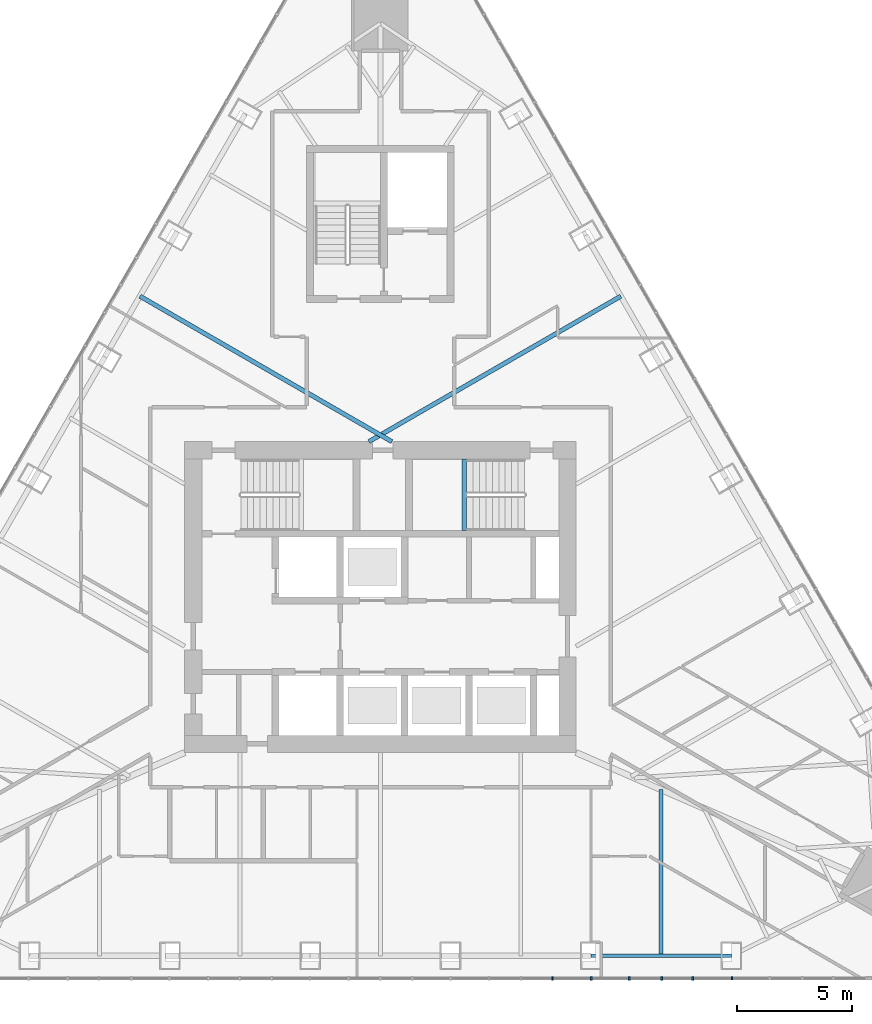
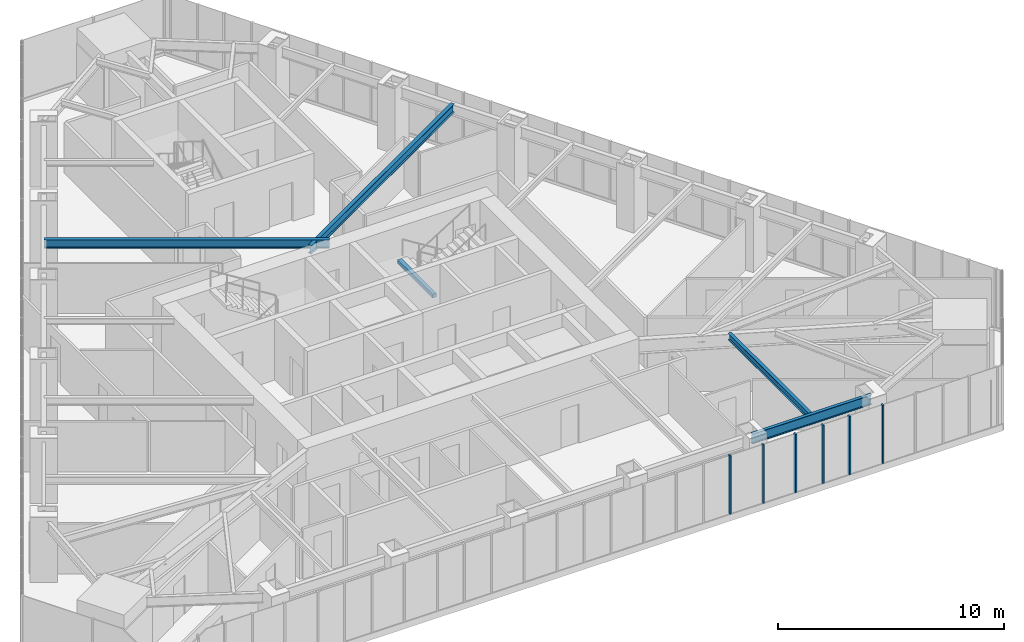
# One storey, part 6 of 20: 6 members, 5 beams, 1 element without a shape of its own.
"""IFC4 building model written with IfcOpenShell, lengths in metres."""

from ifc_helpers import new_model, si_unit, direction, frame, origin, origin_2d, place, context, subcontext, project, spatial, rectangle, i_section, extrude, material, layer, layer_set, material_profile, profile_set, type_object, element, aggregate, save


model = new_model("IFC4")

# Units and contexts
model_context = context("Model", 3, precision=1e-05, world=origin(), true_north=direction((0.0, 1.0)))
body_context = subcontext(model_context, "Body", "Model", "MODEL_VIEW")
ifc_project = project(units=[si_unit("LENGTHUNIT", "METRE"), si_unit("AREAUNIT", "SQUARE_METRE"), si_unit("VOLUMEUNIT", "CUBIC_METRE"), si_unit("PLANEANGLEUNIT", "RADIAN"), si_unit("MASSUNIT", "GRAM", prefix="KILO")], contexts=[model_context])

# Site, building, storey
site_placement = place(None, origin())
site = spatial("IfcSite", under=ifc_project, at=site_placement, CompositionType="ELEMENT")
building_placement = place(site_placement, origin())
building = spatial("IfcBuilding", under=site, at=building_placement, Name="Firuza Gate Tower and Library", CompositionType="ELEMENT")
storey_placement = place(building_placement, frame((0.0, 0.0, 305.60009765625)))
storey = spatial("IfcBuildingStorey", under=building, at=storey_placement, Name="L74", CompositionType="ELEMENT", Elevation=305.60009765625)

# Curtain wall, members
ifc_material_1 = material(Name="Aluminium 6063-T6", Category="aluminium")
ifc_layer = layer(ifc_material_1, 0.14990234375)
ifc_layer_set = layer_set([ifc_layer], Name="Unitised curtain wall, residences")
curtain_wall_type = type_object("IfcCurtainWallType", Name="Unitised curtain wall, residences", PredefinedType="NOTDEFINED", material=ifc_layer_set)
curtain_wall_placement = place(storey_placement, origin())
curtain_wall = element("IfcCurtainWall", 1, at=curtain_wall_placement, inside=storey, type_object=curtain_wall_type, Name="CW3 L74 S face", PredefinedType="NOTDEFINED")
ifc_material_2 = material(Name="Aluminium 6063-T6", Category="aluminium")
ifc_material_profile_1 = material_profile(ifc_material_2, rectangle(XDim=0.14990234375, YDim=0.080078125, at=origin_2d()))
ifc_profile_set_1 = profile_set([ifc_material_profile_1], Name="Aluminium 6063-T6")
member_type = type_object("IfcMemberType", Name="Curtain wall mullion 80x150", PredefinedType="MULLION", material=ifc_profile_set_1)
member_1_placement = place(storey_placement, frame((84.16259765625, 58.44970703125, 0.14990234375), z_axis=(0.0, 0.0, 1.0), x_axis=(0.0, 1.0, 0.0)))
member_1 = element("IfcMember", 2, at=member_1_placement, type_object=member_type, Name="Mullion", PredefinedType="MULLION", context=body_context, shape_type="SweptSolid", body=[
    extrude(rectangle(XDim=0.14990234375, YDim=0.080078125, at=origin_2d()), origin(), (0.0, 0.0, 1.0), 3.14990234375),
])
member_2_placement = place(storey_placement, frame((87.216796875, 58.44970703125, 0.14990234375), z_axis=(0.0, 0.0, 1.0), x_axis=(0.0, 1.0, 0.0)))
member_2 = element("IfcMember", 3, at=member_2_placement, type_object=member_type, Name="Mullion", PredefinedType="MULLION", context=body_context, shape_type="SweptSolid", body=[
    extrude(rectangle(XDim=0.14990234375, YDim=0.080078125, at=origin_2d()), origin(), (0.0, 0.0, 1.0), 3.14990234375),
])
member_3_placement = place(storey_placement, frame((90.27099609375, 58.44970703125, 0.14990234375), z_axis=(0.0, 0.0, 1.0), x_axis=(0.0, 1.0, 0.0)))
member_3 = element("IfcMember", 4, at=member_3_placement, type_object=member_type, Name="Mullion", PredefinedType="MULLION", context=body_context, shape_type="SweptSolid", body=[
    extrude(rectangle(XDim=0.14990234375, YDim=0.080078125, at=origin_2d()), origin(), (0.0, 0.0, 1.0), 3.14990234375),
])
member_4_placement = place(storey_placement, frame((82.474609375, 58.44970703125, 0.14990234375), z_axis=(0.0, 0.0, 1.0), x_axis=(0.0, 1.0, 0.0)))
member_4 = element("IfcMember", 5, at=member_4_placement, type_object=member_type, Name="Mullion", PredefinedType="MULLION", context=body_context, shape_type="SweptSolid", body=[
    extrude(rectangle(XDim=0.14990234375, YDim=0.080078125, at=origin_2d()), origin(), (0.0, 0.0, 1.0), 3.14990234375),
])
member_5_placement = place(storey_placement, frame((85.8134765625, 58.44970703125, 0.14990234375), z_axis=(0.0, 0.0, 1.0), x_axis=(0.0, 1.0, 0.0)))
member_5 = element("IfcMember", 6, at=member_5_placement, type_object=member_type, Name="Mullion", PredefinedType="MULLION", context=body_context, shape_type="SweptSolid", body=[
    extrude(rectangle(XDim=0.14990234375, YDim=0.080078125, at=origin_2d()), origin(), (0.0, 0.0, 1.0), 3.14990234375),
])
member_6_placement = place(storey_placement, frame((88.570556640625, 58.44970703125, 0.14990234375), z_axis=(0.0, 0.0, 1.0), x_axis=(0.0, 1.0, 0.0)))
member_6 = element("IfcMember", 7, at=member_6_placement, type_object=member_type, Name="Mullion", PredefinedType="MULLION", context=body_context, shape_type="SweptSolid", body=[
    extrude(rectangle(XDim=0.14990234375, YDim=0.080078125, at=origin_2d()), origin(), (0.0, 0.0, 1.0), 3.14990234375),
])
aggregate(curtain_wall, [member_1, member_2, member_3, member_4, member_5, member_6])

# Beams
ifc_material_3 = material(Name="Concrete C35/45", Category="concrete")
ifc_material_profile_2 = material_profile(ifc_material_3, rectangle(XDim=0.199951171875, YDim=0.199951171875, at=origin_2d()))
ifc_profile_set_2 = profile_set([ifc_material_profile_2], Name="Concrete C35/45")
beam_type_1 = type_object("IfcBeamType", Name="Stair landing bearer 200x200", PredefinedType="BEAM", material=ifc_profile_set_2)
beam_1_placement = place(storey_placement, frame((78.639892578125, 81.0, 1.449951171875), z_axis=(0.0, -1.0, 0.0), x_axis=(1.0, 0.0, 0.0)))
element("IfcBeam", 8, at=beam_1_placement, inside=storey, type_object=beam_type_1, Name="Landing bearer L74 stair 2", PredefinedType="BEAM", context=body_context, shape_type="SweptSolid", body=[
    extrude(rectangle(XDim=0.199951171875, YDim=0.199951171875, at=origin_2d()), origin(), (0.0, 0.0, 1.0), 3.10009765625),
])
ifc_material_4 = material(Name="Steel S355", Category="steel")
ifc_material_profile_3 = material_profile(ifc_material_4, i_section(OverallWidth=0.1708984375, OverallDepth=0.35498046875, WebThickness=0.007080078125, FlangeThickness=0.01171875, at=origin_2d()))
ifc_profile_set_3 = profile_set([ifc_material_profile_3], Name="Steel S355")
beam_type_2 = type_object("IfcBeamType", Name="W360x51 Floor beam", PredefinedType="JOIST", material=ifc_profile_set_3)
beam_2_placement = place(storey_placement, frame((87.19189453125, 59.4248046875, 3.122314453125), z_axis=(0.0, 1.0, 0.0), x_axis=(-1.0, 0.0, 0.0)))
element("IfcBeam", 9, at=beam_2_placement, inside=storey, type_object=beam_type_2, Name="Floor beam L74 s24", PredefinedType="JOIST", context=body_context, shape_type="SweptSolid", body=[
    extrude(i_section(OverallWidth=0.1708984375, OverallDepth=0.35498046875, WebThickness=0.007080078125, FlangeThickness=0.01171875, at=origin_2d()), origin(), (0.0, 0.0, 1.0), 7.2138671875),
])
ifc_material_5 = material(Name="Steel S355", Category="steel")
ifc_material_profile_4 = material_profile(ifc_material_5, i_section(OverallWidth=0.18994140625, OverallDepth=0.45703125, WebThickness=0.009033203125, FlangeThickness=0.014404296875, at=origin_2d()))
ifc_profile_set_4 = profile_set([ifc_material_profile_4], Name="Steel S355")
beam_type_3 = type_object("IfcBeamType", Name="W460x74 Floor beam", PredefinedType="JOIST", material=ifc_profile_set_4)
for number, where, z_axis, x_axis, name in (
    (10, (85.440673828125, 88.06689453125, 3.0712890625), (-0.866029835762, -0.499992323512, 0.0), (0.499992323512, -0.866029835762, 0.0), "Floor beam L74 s53"),
    (11, (64.559326171875, 88.06689453125, 3.0712890625), (0.866029835762, -0.499992323512, 0.0), (0.499992323512, 0.866029835762, 0.0), "Floor beam L74 s81"),
):
    element("IfcBeam", number, at=place(storey_placement, frame(where, z_axis=z_axis, x_axis=x_axis)), inside=storey, type_object=beam_type_3, Name=name, PredefinedType="JOIST", context=body_context, shape_type="SweptSolid", body=[
        extrude(i_section(OverallWidth=0.18994140625, OverallDepth=0.45703125, WebThickness=0.009033203125, FlangeThickness=0.014404296875, at=origin_2d()), origin(), (0.0, 0.0, 1.0), 12.634033203125),
    ])
ifc_material_6 = material(Name="Steel S355", Category="steel")
ifc_material_profile_5 = material_profile(ifc_material_6, i_section(OverallWidth=0.166015625, OverallDepth=0.534912109375, WebThickness=0.01025390625, FlangeThickness=0.0166015625, at=origin_2d()))
ifc_profile_set_5 = profile_set([ifc_material_profile_5], Name="Steel S355")
beam_type_4 = type_object("IfcBeamType", Name="W530x85 Edge beam", PredefinedType="SPANDREL", material=ifc_profile_set_5)
beam_3_placement = place(storey_placement, frame((84.14404296875, 59.4248046875, 3.032470703125), z_axis=(1.0, 0.0, 0.0), x_axis=(0.0, 1.0, 0.0)))
element("IfcBeam", 12, at=beam_3_placement, inside=storey, type_object=beam_type_4, Name="Edge beam L74 e24", PredefinedType="SPANDREL", context=body_context, shape_type="SweptSolid", body=[
    extrude(i_section(OverallWidth=0.166015625, OverallDepth=0.534912109375, WebThickness=0.01025390625, FlangeThickness=0.0166015625, at=origin_2d()), origin(), (0.0, 0.0, 1.0), 6.095947265625),
])

save(model, "model.ifc")
